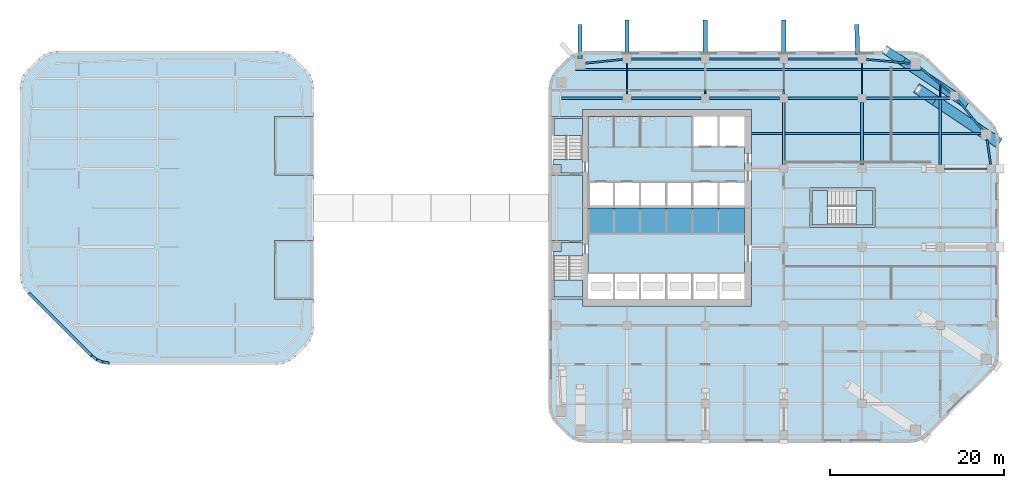
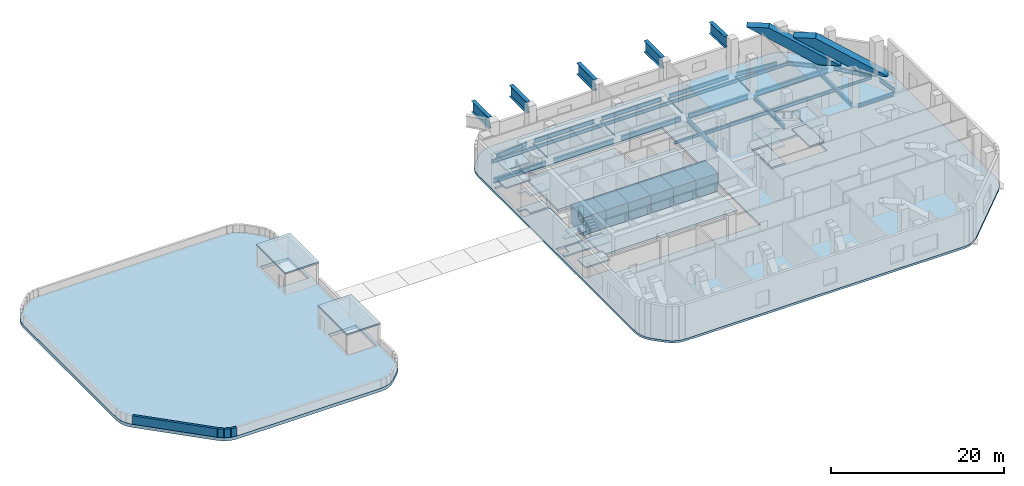
# One storey, part 3 of 11: 36 beams, 24 slabs, 4 walls, 2 members, 3 elements without a shape of their own.
"""IFC4 building model written with IfcOpenShell, lengths in metres."""

from ifc_helpers import new_model, si_unit, direction, frame, frame_2d, origin, origin_2d, place, context, subcontext, project, spatial, polyline, rectangle, i_section, outline, extrude, material, layer, layer_set, material_profile, profile_set, type_object, element, aggregate, save


model = new_model("IFC4")

# Units and contexts
model_context = context("Model", 3, precision=1e-05, world=origin(), true_north=direction((0.0, 1.0)))
body_context = subcontext(model_context, "Body", "Model", "MODEL_VIEW")
ifc_project = project(units=[si_unit("LENGTHUNIT", "METRE"), si_unit("AREAUNIT", "SQUARE_METRE"), si_unit("VOLUMEUNIT", "CUBIC_METRE"), si_unit("PLANEANGLEUNIT", "RADIAN"), si_unit("MASSUNIT", "GRAM", prefix="KILO")], contexts=[model_context])

# Site, building, storey
site_placement = place(None, origin())
site = spatial("IfcSite", under=ifc_project, at=site_placement, CompositionType="ELEMENT")
building_placement = place(site_placement, origin())
building = spatial("IfcBuilding", under=site, at=building_placement, Name="Cinnabar Reach Civic Tower", CompositionType="ELEMENT")
storey_placement = place(building_placement, frame((0.0, 0.0, 144.0)))
storey = spatial("IfcBuildingStorey", under=building, at=storey_placement, Name="L34", CompositionType="ELEMENT", Elevation=144.0)

# Beams
ifc_material_1 = material(Name="Steel Q355B", Category="steel")
ifc_material_profile_1 = material_profile(ifc_material_1, i_section(OverallWidth=0.302, OverallDepth=0.594, WebThickness=0.014, FlangeThickness=0.023, FilletRadius=0.016, at=origin_2d()), Name="HM594x302x14x23")
ifc_profile_set_1 = profile_set([ifc_material_profile_1], Name="Steel Q355B")
beam_type_1 = type_object("IfcBeamType", Name="HM594x302x14x23 beam R 180", PredefinedType="BEAM", material=ifc_profile_set_1)
for number, where, z_axis, x_axis, name in (
    (1, (27.0, 36.502, -0.597), (0.0, 1.0, 0.0), (-1.0, 0.0, 0.0), "Girder T1 L34 13"),
    (2, (36.0, 36.502, -0.597), (0.0, 1.0, 0.0), (-1.0, 0.0, 0.0), "Girder T1 L34 20"),
):
    element("IfcBeam", number, at=place(storey_placement, frame(where, z_axis=z_axis, x_axis=x_axis)), inside=storey, type_object=beam_type_1, Name=name, PredefinedType="BEAM", context=body_context, shape_type="SweptSolid", body=[
        extrude(i_section(OverallWidth=0.302, OverallDepth=0.594, WebThickness=0.014, FlangeThickness=0.023, FilletRadius=0.016, at=origin_2d()), origin(), (0.0, 0.0, 1.0), 7.096),
    ])
beam_1_placement = place(storey_placement, frame((45.0, 36.502, -0.597), z_axis=(0.0, 1.0, 0.0), x_axis=(-1.0, 0.0, 0.0)))
element("IfcBeam", 3, at=beam_1_placement, inside=storey, type_object=beam_type_1, Name="Girder T1 L34 25", PredefinedType="BEAM", context=body_context, shape_type="SweptSolid", body=[
    extrude(i_section(OverallWidth=0.302, OverallDepth=0.594, WebThickness=0.014, FlangeThickness=0.023, FilletRadius=0.016, at=origin_2d()), origin(), (0.0, 0.0, 1.0), 7.446),
])
ifc_material_profile_2 = material_profile(ifc_material_1, i_section(OverallWidth=0.099, OverallDepth=0.198, WebThickness=0.0045, FlangeThickness=0.007, FilletRadius=0.013, at=origin_2d()), Name="HN200x100x5.5x8")
ifc_profile_set_2 = profile_set([ifc_material_profile_2], Name="Steel Q355B")
beam_type_2 = type_object("IfcBeamType", Name="HN200x100x5.5x8 beam R 180", PredefinedType="BEAM", material=ifc_profile_set_2)
for number, where, z_axis, x_axis, name in (
    (4, (9.0, 44.602, -0.399), (0.0, 1.0, 0.0), (-1.0, 0.0, 0.0), "Girder T1 L34 4"),
    (5, (18.0, 44.602, -0.399), (0.0, 1.0, 0.0), (-1.0, 0.0, 0.0), "Girder T1 L34 8"),
    (6, (27.0, 44.602, -0.399), (0.0, 1.0, 0.0), (-1.0, 0.0, 0.0), "Girder T1 L34 14"),
    (7, (36.0, 44.602, -0.399), (0.0, 1.0, 0.0), (-1.0, 0.0, 0.0), "Girder T1 L34 21"),
):
    element("IfcBeam", number, at=place(storey_placement, frame(where, z_axis=z_axis, x_axis=x_axis)), inside=storey, type_object=beam_type_2, Name=name, PredefinedType="BEAM", context=body_context, shape_type="SweptSolid", body=[
        extrude(i_section(OverallWidth=0.099, OverallDepth=0.198, WebThickness=0.0045, FlangeThickness=0.007, FilletRadius=0.013, at=origin_2d()), origin(), (0.0, 0.0, 1.0), 3.496),
    ])
beam_2_placement = place(storey_placement, frame((45.0, 44.252, -0.399), z_axis=(0.0, 1.0, 0.0), x_axis=(-1.0, 0.0, 0.0)))
element("IfcBeam", 8, at=beam_2_placement, inside=storey, type_object=beam_type_2, Name="Girder T1 L34 26", PredefinedType="BEAM", context=body_context, shape_type="SweptSolid", body=[
    extrude(i_section(OverallWidth=0.099, OverallDepth=0.198, WebThickness=0.0045, FlangeThickness=0.007, FilletRadius=0.013, at=origin_2d()), origin(), (0.0, 0.0, 1.0), 1.3103),
])
ifc_material_profile_3 = material_profile(ifc_material_1, i_section(OverallWidth=0.199, OverallDepth=0.396, WebThickness=0.007, FlangeThickness=0.011, FilletRadius=0.013, at=origin_2d()), Name="HN396x199x7x11")
ifc_profile_set_3 = profile_set([ifc_material_profile_3], Name="Steel Q355B")
beam_type_3 = type_object("IfcBeamType", Name="HN396x199x7x11 beam R 180", PredefinedType="BEAM", material=ifc_profile_set_3)
beam_3_placement = place(storey_placement, frame((23.302, 40.05, -0.498), z_axis=(1.0, 0.0, 0.0), x_axis=(0.0, 1.0, 0.0)))
element("IfcBeam", 9, at=beam_3_placement, inside=storey, type_object=beam_type_3, Name="Secondary beam T1 L34 16", PredefinedType="BEAM", context=body_context, shape_type="SweptSolid", body=[
    extrude(i_section(OverallWidth=0.199, OverallDepth=0.396, WebThickness=0.007, FlangeThickness=0.011, FilletRadius=0.013, at=origin_2d()), origin(), (0.0, 0.0, 1.0), 3.545),
])
beam_4_placement = place(storey_placement, frame((45.153, 40.05, -0.498), z_axis=(1.0, 0.0, 0.0), x_axis=(0.0, 1.0, 0.0)))
element("IfcBeam", 10, at=beam_4_placement, inside=storey, type_object=beam_type_3, Name="Secondary beam T1 L34 19", PredefinedType="BEAM", context=body_context, shape_type="SweptSolid", body=[
    extrude(i_section(OverallWidth=0.199, OverallDepth=0.396, WebThickness=0.007, FlangeThickness=0.011, FilletRadius=0.013, at=origin_2d()), origin(), (0.0, 0.0, 1.0), 4.5419),
])
ifc_material_profile_4 = material_profile(ifc_material_1, i_section(OverallWidth=0.199, OverallDepth=0.496, WebThickness=0.009, FlangeThickness=0.014, FilletRadius=0.016, at=origin_2d()), Name="HN496x199x9x14")
ifc_profile_set_4 = profile_set([ifc_material_profile_4], Name="Steel Q355B")
beam_type_4 = type_object("IfcBeamType", Name="HN496x199x9x14 beam R 180", PredefinedType="BEAM", material=ifc_profile_set_4)
for number, where, z_axis, x_axis, name in (
    (11, (27.153, 40.05, -0.548), (1.0, 0.0, 0.0), (0.0, 1.0, 0.0), "Secondary beam T1 L34 17"),
    (12, (36.153, 40.05, -0.548), (1.0, 0.0, 0.0), (0.0, 1.0, 0.0), "Secondary beam T1 L34 18"),
):
    element("IfcBeam", number, at=place(storey_placement, frame(where, z_axis=z_axis, x_axis=x_axis)), inside=storey, type_object=beam_type_4, Name=name, PredefinedType="BEAM", context=body_context, shape_type="SweptSolid", body=[
        extrude(i_section(OverallWidth=0.199, OverallDepth=0.496, WebThickness=0.009, FlangeThickness=0.014, FilletRadius=0.016, at=origin_2d()), origin(), (0.0, 0.0, 1.0), 8.694),
    ])
beam_5_placement = place(storey_placement, frame((3.0992, 47.4, -0.548), z_axis=(1.0, 0.0, 0.0), x_axis=(0.0, 1.0, 0.0)))
element("IfcBeam", 13, at=beam_5_placement, inside=storey, type_object=beam_type_4, Name="Secondary beam T1 L34 20", PredefinedType="BEAM", context=body_context, shape_type="SweptSolid", body=[
    extrude(i_section(OverallWidth=0.199, OverallDepth=0.496, WebThickness=0.009, FlangeThickness=0.014, FilletRadius=0.016, at=origin_2d()), origin(), (0.0, 0.0, 1.0), 5.8493),
])
for number, where, z_axis, x_axis, name in (
    (14, (9.0515, 47.4, -0.548), (1.0, 0.0, 0.0), (0.0, 1.0, 0.0), "Secondary beam T1 L34 21"),
    (15, (18.0515, 47.4, -0.548), (1.0, 0.0, 0.0), (0.0, 1.0, 0.0), "Secondary beam T1 L34 22"),
    (16, (27.0515, 47.4, -0.548), (1.0, 0.0, 0.0), (0.0, 1.0, 0.0), "Secondary beam T1 L34 23"),
):
    element("IfcBeam", number, at=place(storey_placement, frame(where, z_axis=z_axis, x_axis=x_axis)), inside=storey, type_object=beam_type_4, Name=name, PredefinedType="BEAM", context=body_context, shape_type="SweptSolid", body=[
        extrude(i_section(OverallWidth=0.199, OverallDepth=0.496, WebThickness=0.009, FlangeThickness=0.014, FilletRadius=0.016, at=origin_2d()), origin(), (0.0, 0.0, 1.0), 8.897),
    ])
beam_6_placement = place(storey_placement, frame((36.0515, 47.4, -0.548), z_axis=(1.0, 0.0, 0.0), x_axis=(0.0, 1.0, 0.0)))
element("IfcBeam", 17, at=beam_6_placement, inside=storey, type_object=beam_type_4, Name="Secondary beam T1 L34 24", PredefinedType="BEAM", context=body_context, shape_type="SweptSolid", body=[
    extrude(i_section(OverallWidth=0.199, OverallDepth=0.496, WebThickness=0.009, FlangeThickness=0.014, FilletRadius=0.016, at=origin_2d()), origin(), (0.0, 0.0, 1.0), 6.7206),
])
ifc_material_profile_5 = material_profile(ifc_material_1, i_section(OverallWidth=0.199, OverallDepth=0.596, WebThickness=0.01, FlangeThickness=0.015, FilletRadius=0.016, at=origin_2d()), Name="HN596x199x10x15")
ifc_profile_set_5 = profile_set([ifc_material_profile_5], Name="Steel Q355B")
beam_type_5 = type_object("IfcBeamType", Name="HN596x199x10x15 beam R 180", PredefinedType="BEAM", material=ifc_profile_set_5)
beam_7_placement = place(storey_placement, frame((45.502, 36.0, -0.598), z_axis=(1.0, 0.0, 0.0), x_axis=(0.0, 1.0, 0.0)))
element("IfcBeam", 18, at=beam_7_placement, inside=storey, type_object=beam_type_5, Name="Girder T1 L34 19", PredefinedType="BEAM", context=body_context, shape_type="SweptSolid", body=[
    extrude(i_section(OverallWidth=0.199, OverallDepth=0.596, WebThickness=0.01, FlangeThickness=0.015, FilletRadius=0.016, at=origin_2d()), origin(), (0.0, 0.0, 1.0), 4.846),
])
ifc_material_profile_6 = material_profile(ifc_material_1, i_section(OverallWidth=0.2, OverallDepth=0.6, WebThickness=0.011, FlangeThickness=0.017, FilletRadius=0.016, at=origin_2d()), Name="HN600x200x11x17")
ifc_profile_set_6 = profile_set([ifc_material_profile_6], Name="Steel Q355B")
beam_type_6 = type_object("IfcBeamType", Name="HN600x200x11x17 beam R 180", PredefinedType="BEAM", material=ifc_profile_set_6)
beam_8_placement = place(storey_placement, frame((50.7788, 36.502, -0.6), z_axis=(-0.140489003738, 0.990082238922, 0.0), x_axis=(-0.990082238922, -0.140489003738, 0.0)))
element("IfcBeam", 19, at=beam_8_placement, inside=storey, type_object=beam_type_6, Name="Edge beam T1 L34 11", PredefinedType="BEAM", context=body_context, shape_type="SweptSolid", body=[
    extrude(i_section(OverallWidth=0.2, OverallDepth=0.6, WebThickness=0.011, FlangeThickness=0.017, FilletRadius=0.016, at=origin_2d()), origin(), (0.0, 0.0, 1.0), 2.9433),
])
for number, where, z_axis, x_axis, name in (
    (20, (49.8993, 40.3801, -0.6), (-0.6363041581, 0.77143827905, 0.0), (-0.77143827905, -0.6363041581, 0.0), "Edge beam T1 L34 12"),
    (21, (46.2711, 44.6461, -0.6), (-0.77143827905, 0.6363041581, 0.0), (-0.6363041581, -0.77143827905, 0.0), "Edge beam T1 L34 13"),
):
    element("IfcBeam", number, at=place(storey_placement, frame(where, z_axis=z_axis, x_axis=x_axis)), inside=storey, type_object=beam_type_6, Name=name, PredefinedType="BEAM", context=body_context, shape_type="SweptSolid", body=[
        extrude(i_section(OverallWidth=0.2, OverallDepth=0.6, WebThickness=0.011, FlangeThickness=0.017, FilletRadius=0.016, at=origin_2d()), origin(), (0.0, 0.0, 1.0), 4.7198),
    ])
beam_9_placement = place(storey_placement, frame((41.6661, 48.0903, -0.6), z_axis=(-0.995979069281, 0.089586235294, 0.0), x_axis=(-0.089586235294, -0.995979069281, 0.0)))
element("IfcBeam", 22, at=beam_9_placement, inside=storey, type_object=beam_type_6, Name="Edge beam T1 L34 14", PredefinedType="BEAM", context=body_context, shape_type="SweptSolid", body=[
    extrude(i_section(OverallWidth=0.2, OverallDepth=0.6, WebThickness=0.011, FlangeThickness=0.017, FilletRadius=0.016, at=origin_2d()), origin(), (0.0, 0.0, 1.0), 5.1849),
])
for number, where, z_axis, x_axis, name in (
    (23, (35.498, 48.6, -0.6), (-1.0, 0.0, 0.0), (0.0, -1.0, 0.0), "Edge beam T1 L34 15"),
    (24, (26.498, 48.6, -0.6), (-1.0, 0.0, 0.0), (0.0, -1.0, 0.0), "Edge beam T1 L34 16"),
    (25, (17.498, 48.6, -0.6), (-1.0, 0.0, 0.0), (0.0, -1.0, 0.0), "Edge beam T1 L34 17"),
):
    element("IfcBeam", number, at=place(storey_placement, frame(where, z_axis=z_axis, x_axis=x_axis)), inside=storey, type_object=beam_type_6, Name=name, PredefinedType="BEAM", context=body_context, shape_type="SweptSolid", body=[
        extrude(i_section(OverallWidth=0.2, OverallDepth=0.6, WebThickness=0.011, FlangeThickness=0.017, FilletRadius=0.016, at=origin_2d()), origin(), (0.0, 0.0, 1.0), 7.996),
    ])
beam_10_placement = place(storey_placement, frame((8.498, 48.5486, -0.6), z_axis=(-0.994791228755, -0.101933366432, 0.0), x_axis=(0.101933366432, -0.994791228755, 0.0)))
element("IfcBeam", 26, at=beam_10_placement, inside=storey, type_object=beam_type_6, Name="Edge beam T1 L34 18", PredefinedType="BEAM", context=body_context, shape_type="SweptSolid", body=[
    extrude(i_section(OverallWidth=0.2, OverallDepth=0.6, WebThickness=0.011, FlangeThickness=0.017, FilletRadius=0.016, at=origin_2d()), origin(), (0.0, 0.0, 1.0), 4.4372),
])
ifc_material_profile_7 = material_profile(ifc_material_1, i_section(OverallWidth=0.3, OverallDepth=0.692, WebThickness=0.013, FlangeThickness=0.02, FilletRadius=0.016, at=origin_2d()), Name="HN692x300x13x20")
ifc_profile_set_7 = profile_set([ifc_material_profile_7], Name="Steel Q355B")
beam_type_7 = type_object("IfcBeamType", Name="HN692x300x13x20 beam R 180", PredefinedType="BEAM", material=ifc_profile_set_7)
beam_11_placement = place(storey_placement, frame((1.4548, 44.1, -0.646), z_axis=(1.0, 0.0, 0.0), x_axis=(0.0, 1.0, 0.0)))
element("IfcBeam", 27, at=beam_11_placement, inside=storey, type_object=beam_type_7, Name="Girder T1 L34 20", PredefinedType="BEAM", context=body_context, shape_type="SweptSolid", body=[
    extrude(i_section(OverallWidth=0.3, OverallDepth=0.692, WebThickness=0.013, FlangeThickness=0.02, FilletRadius=0.016, at=origin_2d()), origin(), (0.0, 0.0, 1.0), 7.0432),
])
for number, where, z_axis, x_axis, name in (
    (28, (9.502, 44.1, -0.646), (1.0, 0.0, 0.0), (0.0, 1.0, 0.0), "Girder T1 L34 21"),
    (29, (18.502, 44.1, -0.646), (1.0, 0.0, 0.0), (0.0, 1.0, 0.0), "Girder T1 L34 22"),
    (30, (27.502, 44.1, -0.646), (1.0, 0.0, 0.0), (0.0, 1.0, 0.0), "Girder T1 L34 23"),
):
    element("IfcBeam", number, at=place(storey_placement, frame(where, z_axis=z_axis, x_axis=x_axis)), inside=storey, type_object=beam_type_7, Name=name, PredefinedType="BEAM", context=body_context, shape_type="SweptSolid", body=[
        extrude(i_section(OverallWidth=0.3, OverallDepth=0.692, WebThickness=0.013, FlangeThickness=0.02, FilletRadius=0.016, at=origin_2d()), origin(), (0.0, 0.0, 1.0), 7.996),
    ])
beam_12_placement = place(storey_placement, frame((36.502, 44.1, -0.646), z_axis=(1.0, 0.0, 0.0), x_axis=(0.0, 1.0, 0.0)))
element("IfcBeam", 31, at=beam_12_placement, inside=storey, type_object=beam_type_7, Name="Girder T1 L34 24", PredefinedType="BEAM", context=body_context, shape_type="SweptSolid", body=[
    extrude(i_section(OverallWidth=0.3, OverallDepth=0.692, WebThickness=0.013, FlangeThickness=0.02, FilletRadius=0.016, at=origin_2d()), origin(), (0.0, 0.0, 1.0), 9.6653),
])

# Members
ifc_material_2 = material(Name="Concrete C70", Category="concrete")
ifc_material_profile_8 = material_profile(ifc_material_2, rectangle(XDim=2.6, YDim=1.0, at=origin_2d()), Name="RC2600x1000")
ifc_profile_set_8 = profile_set([ifc_material_profile_8], Name="Concrete C70")
member_type_1 = type_object("IfcMemberType", Name="RC2600x1000 raked strut R 240", PredefinedType="STRUT", material=ifc_profile_set_8)
member_1_placement = place(storey_placement, frame((47.0311, 44.0852, -0.3), z_axis=(0.0, 0.0, 1.0), x_axis=(-0.83205094808, 0.554699215611, 0.0)))
element("IfcMember", 32, at=member_1_placement, inside=storey, type_object=member_type_1, Name="Raked column T1-Z2-F3-M", PredefinedType="STRUT", context=body_context, shape_type="SweptSolid", body=[
    extrude(rectangle(XDim=2.6, YDim=1.0, at=origin_2d()), origin(), (0.858309710975, -6.382022e-06, 0.513131990822), 10.3287),
])
ifc_material_3 = material(Name="Concrete C80", Category="concrete")
ifc_material_profile_9 = material_profile(ifc_material_3, rectangle(XDim=2.6, YDim=1.2, at=origin_2d()), Name="RC2600x1200")
ifc_profile_set_9 = profile_set([ifc_material_profile_9], Name="Concrete C80")
member_type_2 = type_object("IfcMemberType", Name="RC2600x1200 raked strut R 240", PredefinedType="STRUT", material=ifc_profile_set_9)
member_2_placement = place(storey_placement, frame((50.7144, 39.6197, -0.3), z_axis=(0.0, 0.0, 1.0), x_axis=(-0.83205094808, 0.554699215611, 0.0)))
element("IfcMember", 33, at=member_2_placement, inside=storey, type_object=member_type_2, Name="Raked column T1-Z2-CC3", PredefinedType="STRUT", context=body_context, shape_type="SweptSolid", body=[
    extrude(rectangle(XDim=2.6, YDim=1.2, at=origin_2d()), origin(), (0.858309710975, -6.382022e-06, 0.513131990822), 10.3287),
])

# Beams
ifc_material_profile_10 = material_profile(ifc_material_1, i_section(OverallWidth=0.5, OverallDepth=1.6, WebThickness=0.025, FlangeThickness=0.04, at=origin_2d()), Name="BH1600x500x25x40")
ifc_profile_set_10 = profile_set([ifc_material_profile_10], Name="Steel Q355B")
beam_type_8 = type_object("IfcBeamType", Name="TRANSFER BH1600x500x25x40 R 240", PredefinedType="BEAM", material=ifc_profile_set_10)
beam_13_placement = place(storey_placement, frame((35.5, 49.1, 4.05), z_axis=(-0.029549885683, 0.999563306778, 0.0), x_axis=(-0.999563306778, -0.029549885683, 0.0)))
element("IfcBeam", 34, at=beam_13_placement, inside=storey, type_object=beam_type_8, Name="TRANSFER girder T1-L34-TG-CC4", PredefinedType="BEAM", context=body_context, shape_type="SweptSolid", body=[
    extrude(i_section(OverallWidth=0.5, OverallDepth=1.6, WebThickness=0.025, FlangeThickness=0.04, at=origin_2d()), origin(), (0.0, 0.0, 1.0), 3.4484),
])
beam_14_placement = place(storey_placement, frame((3.6019, 48.6469, 4.05), z_axis=(0.0, 1.0, 0.0), x_axis=(-1.0, 0.0, 0.0)))
element("IfcBeam", 35, at=beam_14_placement, inside=storey, type_object=beam_type_8, Name="TRANSFER girder T1-L34-TG-CC5", PredefinedType="BEAM", context=body_context, shape_type="SweptSolid", body=[
    extrude(i_section(OverallWidth=0.5, OverallDepth=1.6, WebThickness=0.025, FlangeThickness=0.04, at=origin_2d()), origin(), (0.0, 0.0, 1.0), 3.9),
])
for number, where, z_axis, x_axis, name in (
    (36, (9.0, 49.1, 4.05), (0.0, 1.0, 0.0), (-1.0, 0.0, 0.0), "TRANSFER girder T1-L34-TG-F4-1"),
    (37, (18.0, 49.1, 4.05), (0.0, 1.0, 0.0), (-1.0, 0.0, 0.0), "TRANSFER girder T1-L34-TG-F4-2"),
    (38, (27.0, 49.1, 4.05), (0.0, 1.0, 0.0), (-1.0, 0.0, 0.0), "TRANSFER girder T1-L34-TG-F4-3"),
):
    element("IfcBeam", number, at=place(storey_placement, frame(where, z_axis=z_axis, x_axis=x_axis)), inside=storey, type_object=beam_type_8, Name=name, PredefinedType="BEAM", context=body_context, shape_type="SweptSolid", body=[
        extrude(i_section(OverallWidth=0.5, OverallDepth=1.6, WebThickness=0.025, FlangeThickness=0.04, at=origin_2d()), origin(), (0.0, 0.0, 1.0), 3.98),
    ])

# Slabs
ifc_material_4 = material(Name="Concrete C40", Category="concrete")
ifc_layer_1 = layer(ifc_material_4, 0.2)
ifc_layer_set_1 = layer_set([ifc_layer_1], Name="Facade head-house roof slab 200")
slab_type_1 = type_object("IfcSlabType", Name="Facade head-house roof slab 200", PredefinedType="ROOF", material=ifc_layer_set_1)
slab_1_placement = place(storey_placement, frame((0.0, 0.0, 3.0)))
element("IfcSlab", 39, at=slab_1_placement, inside=storey, type_object=slab_type_1, Name="Head-house roof slab", PredefinedType="ROOF", context=body_context, shape_type="SweptSolid", body=[
    extrude(outline(polyline([(-31.5, 21.0), (-27.0, 21.0), (-27.0, 27.75), (-31.5, 27.75), (-31.5, 21.0)])), origin(), (0.0, 0.0, 1.0), 0.2),
])
slab_2_placement = place(storey_placement, frame((0.0, 0.0, 3.0)))
element("IfcSlab", 40, at=slab_2_placement, inside=storey, type_object=slab_type_1, Name="Head-house roof slab", PredefinedType="ROOF", context=body_context, shape_type="SweptSolid", body=[
    extrude(outline(polyline([(-31.5, 35.25), (-27.0, 35.25), (-27.0, 42.0), (-31.5, 42.0), (-31.5, 35.25)])), origin(), (0.0, 0.0, 1.0), 0.2),
])
ifc_layer_2 = layer(ifc_material_4, 0.3)
ifc_layer_set_2 = layer_set([ifc_layer_2], Name="Refuge floor slab 300 REI 150")
slab_type_2 = type_object("IfcSlabType", Name="Refuge floor slab 300 REI 150", PredefinedType="FLOOR", material=ifc_layer_set_2)
slab_3_placement = place(storey_placement, frame((0.0, 0.0, -0.3)))
element("IfcSlab", 41, at=slab_3_placement, inside=storey, type_object=slab_type_2, Name="Refuge floor slab 300 T1 L34", PredefinedType="FLOOR", context=body_context, shape_type="SweptSolid", body=[
    extrude(outline(polyline([(0.8787, 6.6213), (0.4019, 7.2426), (0.1022, 7.9662), (0.0, 8.7426), (0.0, 45.2574), (0.1022, 46.0338), (0.4019, 46.7574), (0.8787, 47.3787), (2.1213, 48.6213), (2.7426, 49.0981), (3.4662, 49.3978), (4.2426, 49.5), (41.5074, 49.5), (42.2838, 49.3978), (43.0074, 49.0981), (43.6287, 48.6213), (50.8713, 41.3787), (51.3481, 40.7574), (51.6478, 40.0338), (51.75, 39.2574), (51.75, 14.7426), (51.6478, 13.9662), (51.3481, 13.2426), (50.8713, 12.6213), (43.6287, 5.3787), (43.0074, 4.9019), (42.2838, 4.6022), (41.5074, 4.5), (4.2426, 4.5), (3.4662, 4.6022), (2.7426, 4.9019), (2.1213, 5.3787), (0.8787, 6.6213)]), holes=[polyline([(0.36, 21.0), (3.9, 21.0), (3.9, 20.2), (23.3, 20.2), (23.3, 42.8), (3.9, 42.8), (3.9, 42.0), (0.36, 42.0), (0.36, 35.25), (3.9, 35.25), (3.9, 27.75), (0.36, 27.75), (0.36, 21.0)]), polyline([(30.0, 33.75), (30.0, 29.25), (37.5, 29.25), (37.5, 33.75), (30.0, 33.75)])]), origin(), (0.0, 0.0, 1.0), 0.3),
])
ifc_layer_3 = layer(ifc_material_4, 0.45)
ifc_layer_set_3 = layer_set([ifc_layer_3], Name="Roof slab 450 REI 120")
slab_type_3 = type_object("IfcSlabType", Name="Roof slab 450 REI 120", PredefinedType="ROOF", material=ifc_layer_set_3)
slab_4_placement = place(storey_placement, frame((0.0, 0.0, -0.45)))
element("IfcSlab", 42, at=slab_4_placement, inside=storey, type_object=slab_type_3, Name="Roof slab 450 T2 L34", PredefinedType="ROOF", context=body_context, shape_type="SweptSolid", body=[
    extrude(outline(polyline([(-52.6287, 14.3787), (-52.0074, 13.9019), (-51.2838, 13.6022), (-50.5074, 13.5), (-31.2426, 13.5), (-30.4662, 13.6022), (-29.7426, 13.9019), (-29.1213, 14.3787), (-27.8787, 15.6213), (-27.4019, 16.2426), (-27.1022, 16.9662), (-27.0, 17.7426), (-27.0, 45.2574), (-27.1022, 46.0338), (-27.4019, 46.7574), (-27.8787, 47.3787), (-29.1213, 48.6213), (-29.7426, 49.0981), (-30.4662, 49.3978), (-31.2426, 49.5), (-56.5074, 49.5), (-57.2838, 49.3978), (-58.0074, 49.0981), (-58.6287, 48.6213), (-59.8713, 47.3787), (-60.3481, 46.7574), (-60.6478, 46.0338), (-60.75, 45.2574), (-60.75, 23.7426), (-60.6478, 22.9662), (-60.3481, 22.2426), (-59.8713, 21.6213), (-52.6287, 14.3787)]), holes=[polyline([(-31.1, 21.25), (-27.36, 21.25), (-27.36, 25.998), (-31.1, 25.998), (-31.1, 21.25)]), polyline([(-31.1, 37.002), (-27.36, 37.002), (-27.36, 41.75), (-31.1, 41.75), (-31.1, 37.002)])]), origin(), (0.0, 0.0, 1.0), 0.45),
])

# Stair, slabs
ifc_material_5 = material(Name="Concrete C40/50", Category="concrete")
stair_type = type_object("IfcStairType", Name="T1 Exit stair, double return", PredefinedType="DOUBLE_RETURN_STAIR", material=ifc_material_5)
stair_1_placement = place(storey_placement, origin())
stair_1 = element("IfcStair", 43, at=stair_1_placement, inside=storey, type_object=stair_type, Name="Stair T1-S1", PredefinedType="DOUBLE_RETURN_STAIR")
ifc_layer_4 = layer(ifc_material_5, 0.2)
ifc_layer_set_4 = layer_set([ifc_layer_4], Name="T1 Stair landing 200, Concrete C40/50")
slab_type_4 = type_object("IfcSlabType", Name="T1 Stair landing 200, Concrete C40/50", PredefinedType="LANDING", material=ifc_layer_set_4)
slab_5_placement = place(storey_placement, frame((0.0, 0.0, -0.2)))
slab_5 = element("IfcSlab", 44, at=slab_5_placement, type_object=slab_type_4, Name="T1-S1 landing 1", PredefinedType="LANDING", context=body_context, shape_type="SweptSolid", body=[
    extrude(outline(polyline([(3.9, 27.5), (3.9, 25.95), (0.5, 25.95), (0.5, 26.5), (1.4, 26.5), (1.4, 27.5), (3.9, 27.5)])), origin(), (0.0, 0.0, 1.0), 0.2),
])
slab_6_placement = place(storey_placement, frame((0.0, 0.0, 1.05)))
slab_6 = element("IfcSlab", 45, at=slab_6_placement, type_object=slab_type_4, Name="T1-S1 landing 2", PredefinedType="LANDING", context=body_context, shape_type="SweptSolid", body=[
    extrude(outline(polyline([(0.6, 21.25), (0.6, 23.205), (3.9, 23.205), (3.9, 21.25), (0.6, 21.25)])), origin(), (0.0, 0.0, 1.0), 0.2),
])
slab_7_placement = place(storey_placement, frame((0.0, 0.0, 2.3)))
slab_7 = element("IfcSlab", 46, at=slab_7_placement, type_object=slab_type_4, Name="T1-S1 landing 3", PredefinedType="LANDING", context=body_context, shape_type="SweptSolid", body=[
    extrude(outline(polyline([(3.9, 27.5), (3.9, 25.95), (0.5, 25.95), (0.5, 26.5), (1.4, 26.5), (1.4, 27.5), (3.9, 27.5)])), origin(), (0.0, 0.0, 1.0), 0.2),
])
slab_8_placement = place(storey_placement, frame((0.0, 0.0, 3.55)))
slab_8 = element("IfcSlab", 47, at=slab_8_placement, type_object=slab_type_4, Name="T1-S1 landing 4", PredefinedType="LANDING", context=body_context, shape_type="SweptSolid", body=[
    extrude(outline(polyline([(0.6, 21.25), (0.6, 23.205), (3.9, 23.205), (3.9, 21.25), (0.6, 21.25)])), origin(), (0.0, 0.0, 1.0), 0.2),
])
aggregate(stair_1, [slab_5, slab_6, slab_7, slab_8])

stair_2_placement = place(storey_placement, origin())
stair_2 = element("IfcStair", 48, at=stair_2_placement, inside=storey, type_object=stair_type, Name="Stair T1-S2", PredefinedType="DOUBLE_RETURN_STAIR")
slab_9_placement = place(storey_placement, frame((0.0, 0.0, -0.2)))
slab_9 = element("IfcSlab", 49, at=slab_9_placement, type_object=slab_type_4, Name="T1-S2 landing 1", PredefinedType="LANDING", context=body_context, shape_type="SweptSolid", body=[
    extrude(outline(polyline([(0.5, 37.05), (3.9, 37.05), (3.9, 35.5), (1.4, 35.5), (1.4, 36.5), (0.5, 36.5), (0.5, 37.05)])), origin(), (0.0, 0.0, 1.0), 0.2),
])
slab_10_placement = place(storey_placement, frame((0.0, 0.0, 1.05)))
slab_10 = element("IfcSlab", 50, at=slab_10_placement, type_object=slab_type_4, Name="T1-S2 landing 2", PredefinedType="LANDING", context=body_context, shape_type="SweptSolid", body=[
    extrude(outline(polyline([(0.6, 39.795), (0.6, 41.75), (3.9, 41.75), (3.9, 39.795), (0.6, 39.795)])), origin(), (0.0, 0.0, 1.0), 0.2),
])
slab_11_placement = place(storey_placement, frame((0.0, 0.0, 2.3)))
slab_11 = element("IfcSlab", 51, at=slab_11_placement, type_object=slab_type_4, Name="T1-S2 landing 3", PredefinedType="LANDING", context=body_context, shape_type="SweptSolid", body=[
    extrude(outline(polyline([(0.5, 37.05), (3.9, 37.05), (3.9, 35.5), (1.4, 35.5), (1.4, 36.5), (0.5, 36.5), (0.5, 37.05)])), origin(), (0.0, 0.0, 1.0), 0.2),
])
slab_12_placement = place(storey_placement, frame((0.0, 0.0, 3.55)))
slab_12 = element("IfcSlab", 52, at=slab_12_placement, type_object=slab_type_4, Name="T1-S2 landing 4", PredefinedType="LANDING", context=body_context, shape_type="SweptSolid", body=[
    extrude(outline(polyline([(0.6, 39.795), (0.6, 41.75), (3.9, 41.75), (3.9, 39.795), (0.6, 39.795)])), origin(), (0.0, 0.0, 1.0), 0.2),
])
aggregate(stair_2, [slab_9, slab_10, slab_11, slab_12])

stair_3_placement = place(storey_placement, origin())
stair_3 = element("IfcStair", 53, at=stair_3_placement, inside=storey, type_object=stair_type, Name="Stair T1-S3", PredefinedType="DOUBLE_RETURN_STAIR")
slab_13_placement = place(storey_placement, frame((0.0, 0.0, -0.2)))
slab_13 = element("IfcSlab", 54, at=slab_13_placement, type_object=slab_type_4, Name="T1-S3 landing 1", PredefinedType="LANDING", context=body_context, shape_type="SweptSolid", body=[
    extrude(outline(polyline([(30.25, 29.5), (32.05, 29.5), (32.05, 33.5), (30.25, 33.5), (30.25, 29.5)])), origin(), (0.0, 0.0, 1.0), 0.2),
])
slab_14_placement = place(storey_placement, frame((0.0, 0.0, 1.05)))
slab_14 = element("IfcSlab", 55, at=slab_14_placement, type_object=slab_type_4, Name="T1-S3 landing 2", PredefinedType="LANDING", context=body_context, shape_type="SweptSolid", body=[
    extrude(outline(polyline([(35.29, 29.5), (37.25, 29.5), (37.25, 33.5), (35.29, 33.5), (35.29, 29.5)])), origin(), (0.0, 0.0, 1.0), 0.2),
])
slab_15_placement = place(storey_placement, frame((0.0, 0.0, 2.3)))
slab_15 = element("IfcSlab", 56, at=slab_15_placement, type_object=slab_type_4, Name="T1-S3 landing 3", PredefinedType="LANDING", context=body_context, shape_type="SweptSolid", body=[
    extrude(outline(polyline([(30.25, 29.5), (32.05, 29.5), (32.05, 33.5), (30.25, 33.5), (30.25, 29.5)])), origin(), (0.0, 0.0, 1.0), 0.2),
])
slab_16_placement = place(storey_placement, frame((0.0, 0.0, 3.55)))
slab_16 = element("IfcSlab", 57, at=slab_16_placement, type_object=slab_type_4, Name="T1-S3 landing 4", PredefinedType="LANDING", context=body_context, shape_type="SweptSolid", body=[
    extrude(outline(polyline([(35.29, 29.5), (37.25, 29.5), (37.25, 33.5), (35.29, 33.5), (35.29, 29.5)])), origin(), (0.0, 0.0, 1.0), 0.2),
])
aggregate(stair_3, [slab_13, slab_14, slab_15, slab_16])

# Slabs
ifc_layer_5 = layer(ifc_material_5, 0.3)
ifc_layer_set_5 = layer_set([ifc_layer_5], Name="T1 core floor slab 300")
slab_type_5 = type_object("IfcSlabType", Name="T1 core floor slab 300", PredefinedType="FLOOR", material=ifc_layer_set_5)
slab_17_placement = place(storey_placement, frame((0.0, 0.0, -0.3)))
element("IfcSlab", 58, at=slab_17_placement, inside=storey, type_object=slab_type_5, Name="Core floor slab L34", PredefinedType="FLOOR", context=body_context, shape_type="SweptSolid", body=[
    extrude(outline(polyline([(22.5, 24.0), (19.5, 24.0), (16.5, 24.0), (13.5, 24.0), (10.5, 24.0), (7.5, 24.0), (4.5, 24.0), (4.5, 31.5), (7.5, 31.5), (10.5, 31.5), (13.5, 31.5), (16.5, 31.5), (19.5, 31.5), (22.5, 31.5), (22.5, 24.0)])), origin(), (0.0, 0.0, 1.0), 0.3),
])
slab_18_placement = place(storey_placement, frame((0.0, 0.0, -0.3)))
element("IfcSlab", 59, at=slab_18_placement, inside=storey, type_object=slab_type_5, Name="Core floor slab L34", PredefinedType="FLOOR", context=body_context, shape_type="SweptSolid", body=[
    extrude(outline(polyline([(22.5, 34.5), (19.5, 34.5), (16.5, 34.5), (13.5, 34.5), (10.5, 34.5), (7.5, 34.5), (4.5, 34.5), (4.5, 42.0), (16.5, 42.0), (16.5, 38.5), (19.5, 38.5), (22.5, 38.5), (22.5, 34.5)])), origin(), (0.0, 0.0, 1.0), 0.3),
])
ifc_layer_6 = layer(ifc_material_5, 2.5)
ifc_layer_set_6 = layer_set([ifc_layer_6], Name="T1 lift pit base 2500")
slab_type_6 = type_object("IfcSlabType", Name="T1 lift pit base 2500", PredefinedType="BASESLAB", material=ifc_layer_set_6)
slab_19_placement = place(storey_placement, origin())
element("IfcSlab", 60, at=slab_19_placement, inside=storey, type_object=slab_type_6, Name="Lift pit base HR1", PredefinedType="BASESLAB", context=body_context, shape_type="SweptSolid", body=[
    extrude(outline(polyline([(7.5, 31.5), (7.5, 28.5), (4.5, 28.5), (4.5, 31.5), (7.5, 31.5)])), origin(), (0.0, 0.0, 1.0), 2.5),
])
slab_20_placement = place(storey_placement, origin())
element("IfcSlab", 61, at=slab_20_placement, inside=storey, type_object=slab_type_6, Name="Lift pit base HR2", PredefinedType="BASESLAB", context=body_context, shape_type="SweptSolid", body=[
    extrude(outline(polyline([(7.5, 28.5), (7.5, 31.5), (10.5, 31.5), (10.5, 28.5), (7.5, 28.5)])), origin(), (0.0, 0.0, 1.0), 2.5),
])
slab_21_placement = place(storey_placement, origin())
element("IfcSlab", 62, at=slab_21_placement, inside=storey, type_object=slab_type_6, Name="Lift pit base HR3", PredefinedType="BASESLAB", context=body_context, shape_type="SweptSolid", body=[
    extrude(outline(polyline([(10.5, 28.5), (10.5, 31.5), (13.5, 31.5), (13.5, 28.5), (10.5, 28.5)])), origin(), (0.0, 0.0, 1.0), 2.5),
])
slab_22_placement = place(storey_placement, origin())
element("IfcSlab", 63, at=slab_22_placement, inside=storey, type_object=slab_type_6, Name="Lift pit base HR4", PredefinedType="BASESLAB", context=body_context, shape_type="SweptSolid", body=[
    extrude(outline(polyline([(13.5, 28.5), (13.5, 31.5), (16.5, 31.5), (16.5, 28.5), (13.5, 28.5)])), origin(), (0.0, 0.0, 1.0), 2.5),
])
slab_23_placement = place(storey_placement, origin())
element("IfcSlab", 64, at=slab_23_placement, inside=storey, type_object=slab_type_6, Name="Lift pit base HR5", PredefinedType="BASESLAB", context=body_context, shape_type="SweptSolid", body=[
    extrude(outline(polyline([(16.5, 28.5), (16.5, 31.5), (19.5, 31.5), (19.5, 28.5), (16.5, 28.5)])), origin(), (0.0, 0.0, 1.0), 2.5),
])
slab_24_placement = place(storey_placement, origin())
element("IfcSlab", 65, at=slab_24_placement, inside=storey, type_object=slab_type_6, Name="Lift pit base HR6", PredefinedType="BASESLAB", context=body_context, shape_type="SweptSolid", body=[
    extrude(outline(polyline([(22.5, 28.5), (19.5, 28.5), (19.5, 31.5), (22.5, 31.5), (22.5, 28.5)])), origin(), (0.0, 0.0, 1.0), 2.5),
])

# Walls
ifc_material_6 = material(Name="Facing brick with insulated backing", Category="masonry")
ifc_layer_7 = layer(ifc_material_6, 0.3)
ifc_layer_set_7 = layer_set([ifc_layer_7], Name="Facade brick parapet")
wall_type = type_object("IfcWallType", Name="Facade brick parapet", PredefinedType="PARAPET", material=ifc_layer_set_7)
wall_1_placement = place(storey_placement, frame((-52.5578, 14.52, 0.0), z_axis=(0.0, 0.0, 1.0), x_axis=(-0.707106781187, 0.707106781187, 0.0)))
element("IfcWall", 66, at=wall_1_placement, inside=storey, type_object=wall_type, Name="Brick parapet", PredefinedType="PARAPET", context=body_context, shape_type="SweptSolid", body=[
    extrude(rectangle(XDim=10.143, YDim=0.3, at=frame_2d((5.0715, 0.0))), origin(), (0.0, 0.0, 1.0), 1.2),
])
wall_2_placement = place(storey_placement, frame((-50.5372, 13.6552, 0.0), z_axis=(0.0, 0.0, 1.0), x_axis=(-0.991448230557, 0.130500598182, 0.0)))
element("IfcWall", 67, at=wall_2_placement, inside=storey, type_object=wall_type, Name="Brick parapet", PredefinedType="PARAPET", context=body_context, shape_type="SweptSolid", body=[
    extrude(rectangle(XDim=0.6736, YDim=0.3, at=frame_2d((0.3368, 0.0))), origin(), (0.0, 0.0, 1.0), 1.2),
])
wall_3_placement = place(storey_placement, frame((-51.2816, 13.7637, 0.0), z_axis=(0.0, 0.0, 1.0), x_axis=(-0.923930534877, 0.382560278547, 0.0)))
element("IfcWall", 68, at=wall_3_placement, inside=storey, type_object=wall_type, Name="Brick parapet", PredefinedType="PARAPET", context=body_context, shape_type="SweptSolid", body=[
    extrude(rectangle(XDim=0.6637, YDim=0.3, at=frame_2d((0.3318, 0.0))), origin(), (0.0, 0.0, 1.0), 1.2),
])
wall_4_placement = place(storey_placement, frame((-51.9634, 14.0573, 0.0), z_axis=(0.0, 0.0, 1.0), x_axis=(-0.793396032013, 0.608705788034, 0.0)))
element("IfcWall", 69, at=wall_4_placement, inside=storey, type_object=wall_type, Name="Brick parapet", PredefinedType="PARAPET", context=body_context, shape_type="SweptSolid", body=[
    extrude(rectangle(XDim=0.6736, YDim=0.3, at=frame_2d((0.3368, 0.0))), origin(), (0.0, 0.0, 1.0), 1.2),
])

save(model, "model.ifc")
